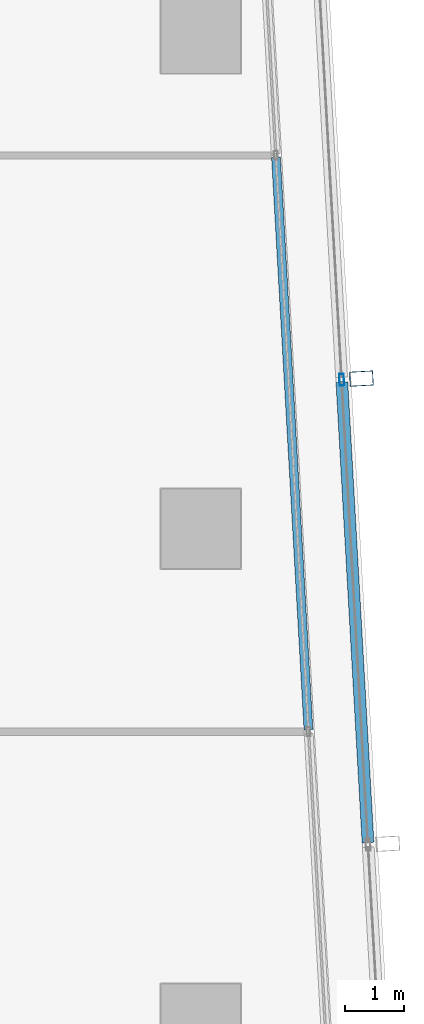
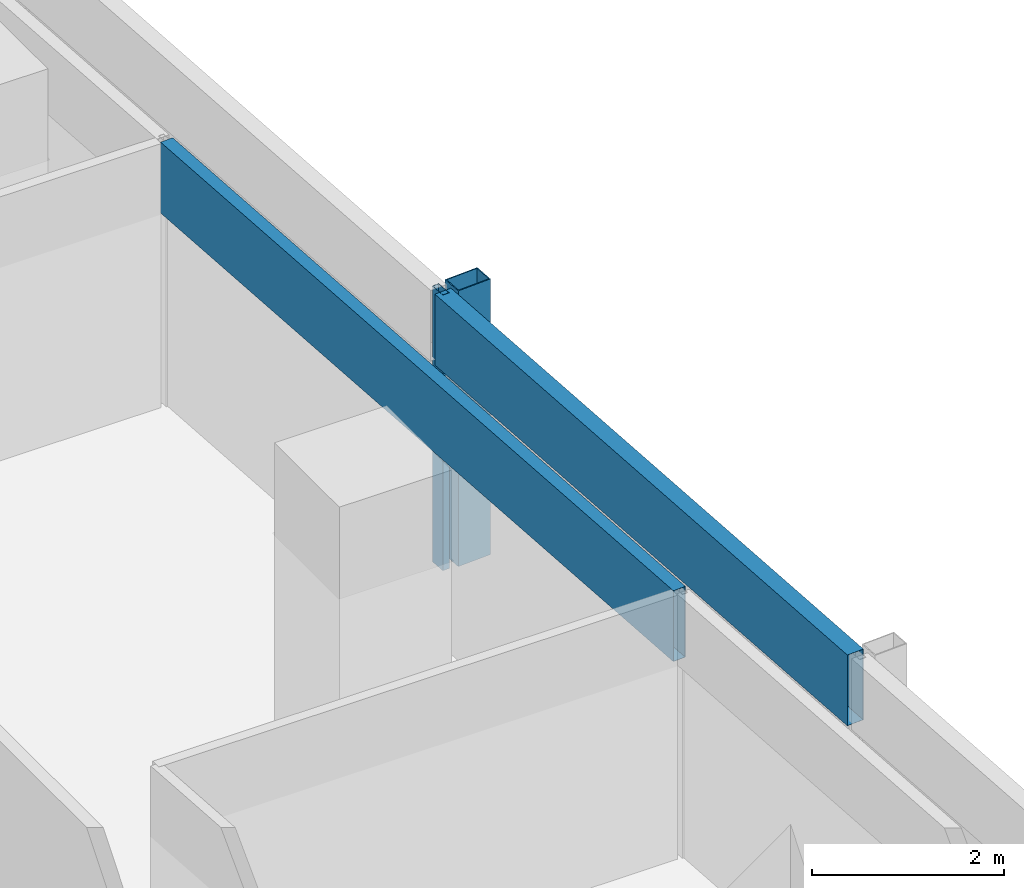
# One storey, part 15 of 39: 4 members, 2 elements without a shape of their own.
"""IFC4 building model written with IfcOpenShell, lengths in metres."""

from ifc_helpers import new_model, si_unit, direction, frame, origin, origin_2d, place, context, subcontext, project, spatial, hollow_rectangle, extrude, material, material_profile, profile_set, type_object, element, aggregate, save


model = new_model("IFC4")

# Units and contexts
model_context = context("Model", 3, precision=1e-05, world=origin(), true_north=direction((0.0, 1.0)))
body_context = subcontext(model_context, "Body", "Model", "MODEL_VIEW")
ifc_project = project(units=[si_unit("LENGTHUNIT", "METRE"), si_unit("AREAUNIT", "SQUARE_METRE"), si_unit("VOLUMEUNIT", "CUBIC_METRE"), si_unit("PLANEANGLEUNIT", "RADIAN"), si_unit("MASSUNIT", "GRAM", prefix="KILO")], contexts=[model_context])

# Site, building, storey
site_placement = place(None, origin())
site = spatial("IfcSite", under=ifc_project, at=site_placement, CompositionType="ELEMENT")
building_placement = place(site_placement, origin())
building = spatial("IfcBuilding", under=site, at=building_placement, Name="Rekha Terrace Tower", CompositionType="ELEMENT")
storey_placement = place(building_placement, frame((0.0, 0.0, 225.199951171875)))
storey = spatial("IfcBuildingStorey", under=building, at=storey_placement, Name="L57", CompositionType="ELEMENT", Elevation=225.199951171875)

# Curtain wall, member
ifc_material_1 = material(Name="Aluminium framing", Category="aluminium")
curtain_wall_type_1 = type_object("IfcCurtainWallType", Name="CW2 double skin outer glazing", PredefinedType="USERDEFINED", material=ifc_material_1)
curtain_wall_1_placement = place(storey_placement, origin())
curtain_wall_1 = element("IfcCurtainWall", 1, at=curtain_wall_1_placement, inside=storey, type_object=curtain_wall_type_1, Name="CW2 double skin outer glazing", ObjectType="DOUBLE SKIN OUTER GLAZING", PredefinedType="USERDEFINED")
ifc_material_2 = material(Name="Steel S355 with fluorocarbon finish", Category="steel")
ifc_material_profile_1 = material_profile(ifc_material_2, hollow_rectangle(XDim=0.25, YDim=0.39990234375, WallThickness=0.012451171875, at=origin_2d()), Name="RHS400x250x12.5")
ifc_profile_set_1 = profile_set([ifc_material_profile_1], Name="Steel S355 with fluorocarbon finish")
member_type_1 = type_object("IfcMemberType", Name="BL1 facade blade RHS 400 x 250", PredefinedType="USERDEFINED", material=ifc_profile_set_1)
member_1_placement = place(storey_placement, frame((61.528076171875, 44.546630859375, 0.0), z_axis=(0.0, 0.0, 1.0), x_axis=(-0.056673619809, 0.998392758797, 0.0)))
member_1 = element("IfcMember", 2, at=member_1_placement, type_object=member_type_1, Name="Facade blade", ObjectType="FACADE BLADE", PredefinedType="USERDEFINED", context=body_context, shape_type="SweptSolid", body=[
    extrude(hollow_rectangle(XDim=0.25, YDim=0.39990234375, WallThickness=0.012451171875, at=origin_2d()), origin(), (0.0, 0.0, 1.0), 3.5),
])

curtain_wall_type_2 = type_object("IfcCurtainWallType", Name="CW1 double skin inner glazing", PredefinedType="USERDEFINED", material=ifc_material_1)
curtain_wall_2_placement = place(storey_placement, origin())
curtain_wall_2 = element("IfcCurtainWall", 3, at=curtain_wall_2_placement, inside=storey, type_object=curtain_wall_type_2, Name="CW1 double skin inner glazing", ObjectType="DOUBLE SKIN INNER GLAZING", PredefinedType="USERDEFINED")
ifc_material_3 = material(Name="Insulated aluminium spandrel box", Category="aluminium")
ifc_material_profile_2 = material_profile(ifc_material_3, hollow_rectangle(XDim=0.14990234375, YDim=0.89990234375, WallThickness=0.0029296875, at=origin_2d()), Name="AL SPANDREL BOX 150x900")
ifc_profile_set_2 = profile_set([ifc_material_profile_2], Name="Insulated aluminium spandrel box")
member_type_2 = type_object("IfcMemberType", Name="CW1 spandrel transom 150 x 900", PredefinedType="USERDEFINED", material=ifc_profile_set_2)
member_2_placement = place(storey_placement, frame((60.629150390625, 38.588134765625, 3.050048828125), z_axis=(-0.056650211304, 0.998394087302, 0.0), x_axis=(-0.998394087302, -0.056650211304, 0.0)))
member_2 = element("IfcMember", 4, at=member_2_placement, type_object=member_type_2, Name="CW1 spandrel transom 2", ObjectType="TRANSOM", PredefinedType="USERDEFINED", context=body_context, shape_type="SweptSolid", body=[
    extrude(hollow_rectangle(XDim=0.14990234375, YDim=0.89990234375, WallThickness=0.0029296875, at=origin_2d()), origin(), (0.0, 0.0, 1.0), 9.726806640625),
])
aggregate(curtain_wall_2, [member_2])

# Member
ifc_material_4 = material(Name="Aluminium mullion section", Category="aluminium")
ifc_material_profile_3 = material_profile(ifc_material_4, hollow_rectangle(XDim=0.080078125, YDim=0.199951171875, WallThickness=0.00390625, at=origin_2d()), Name="AL RHS 80x200")
ifc_profile_set_3 = profile_set([ifc_material_profile_3], Name="Aluminium mullion section")
member_type_3 = type_object("IfcMemberType", Name="CW2 mullion RHS 80 x 200", PredefinedType="MULLION", material=ifc_profile_set_3)
member_3_placement = place(storey_placement, frame((61.193603515625, 44.527587890625, 0.0), z_axis=(0.0, 0.0, 1.0), x_axis=(-0.998392782919, -0.05667319486, 0.0)))
member_3 = element("IfcMember", 5, at=member_3_placement, type_object=member_type_3, Name="CW2 mullion 3", PredefinedType="MULLION", context=body_context, shape_type="SweptSolid", body=[
    extrude(hollow_rectangle(XDim=0.080078125, YDim=0.199951171875, WallThickness=0.00390625, at=origin_2d()), origin(), (0.0, 0.0, 1.0), 3.5),
])

ifc_material_profile_4 = material_profile(ifc_material_3, hollow_rectangle(XDim=0.199951171875, YDim=0.89990234375, WallThickness=0.0029296875, at=origin_2d()), Name="AL SPANDREL BOX 200x900")
ifc_profile_set_4 = profile_set([ifc_material_profile_4], Name="Insulated aluminium spandrel box")
member_type_4 = type_object("IfcMemberType", Name="CW2 spandrel transom 200 x 900", PredefinedType="USERDEFINED", material=ifc_profile_set_4)
member_4_placement = place(storey_placement, frame((61.63916015625, 36.6767578125, 3.050048828125), z_axis=(-0.056669428082, 0.998392996731, 0.0), x_axis=(-0.998392996731, -0.056669428082, 0.0)))
member_4 = element("IfcMember", 6, at=member_4_placement, type_object=member_type_4, Name="CW2 spandrel transom 2", ObjectType="TRANSOM", PredefinedType="USERDEFINED", context=body_context, shape_type="SweptSolid", body=[
    extrude(hollow_rectangle(XDim=0.199951171875, YDim=0.89990234375, WallThickness=0.0029296875, at=origin_2d()), origin(), (0.0, 0.0, 1.0), 7.823486328125),
])

aggregate(curtain_wall_1, [member_3, member_4, member_1])

save(model, "model.ifc")
